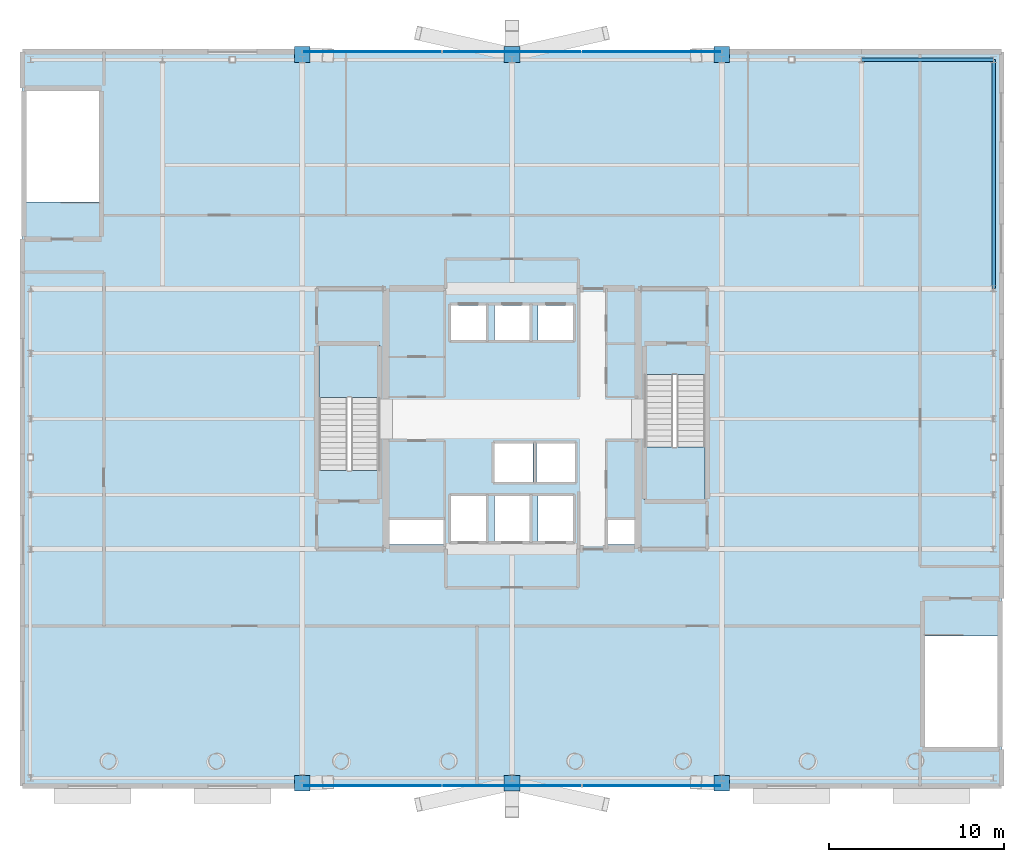
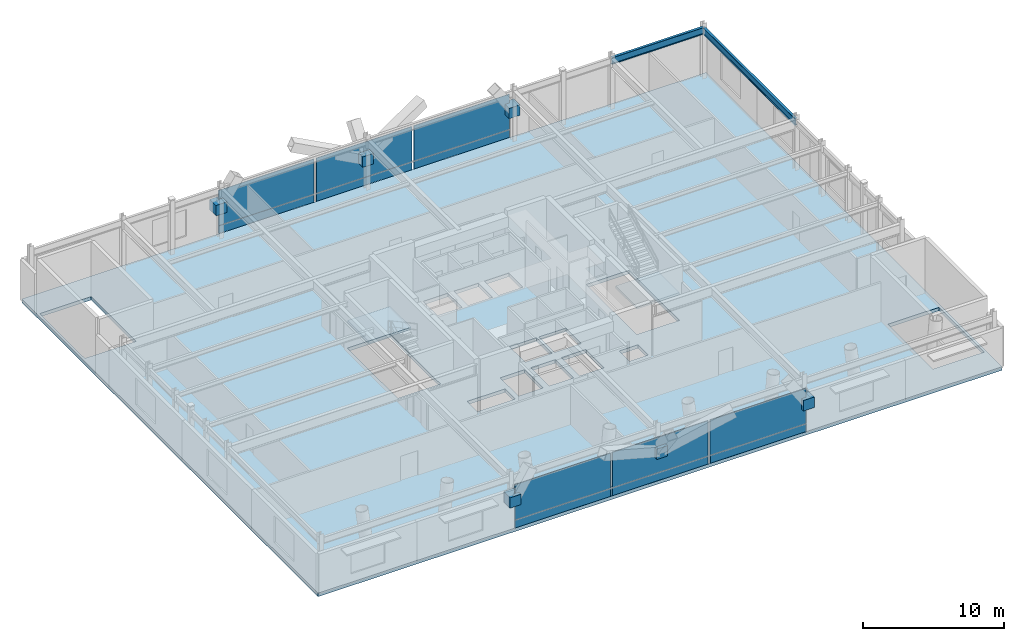
# One storey, part 13 of 21: 18 plates, 3 slabs, 2 beams, 4 elements without a shape of their own.
"""IFC4 building model written with IfcOpenShell, lengths in metres."""

from ifc_helpers import new_model, si_unit, direction, frame, origin, origin_2d, place, context, subcontext, project, spatial, polyline, rectangle, i_section, outline, extrude, material, layer, layer_set, material_profile, profile_set, type_object, element, aggregate, save


model = new_model("IFC4")

# Units and contexts
model_context = context("Model", 3, precision=1e-05, world=origin(), true_north=direction((0.0, 1.0)))
body_context = subcontext(model_context, "Body", "Model", "MODEL_VIEW")
ifc_project = project(units=[si_unit("LENGTHUNIT", "METRE"), si_unit("AREAUNIT", "SQUARE_METRE"), si_unit("VOLUMEUNIT", "CUBIC_METRE"), si_unit("PLANEANGLEUNIT", "RADIAN"), si_unit("MASSUNIT", "GRAM", prefix="KILO")], contexts=[model_context])

# Site, building, storey
site_placement = place(None, origin())
site = spatial("IfcSite", under=ifc_project, at=site_placement, CompositionType="ELEMENT")
building_placement = place(site_placement, origin())
building = spatial("IfcBuilding", under=site, at=building_placement, Name="Veldorina Hangang Commons", CompositionType="ELEMENT")
storey_placement = place(building_placement, frame((0.0, 0.0, 19.60009765625)))
storey = spatial("IfcBuildingStorey", under=building, at=storey_placement, Name="L04", CompositionType="ELEMENT", Elevation=19.60009765625)

# Beams
ifc_material_1 = material(Name="Steel SM420-TMC", Category="steel")
ifc_material_profile = material_profile(ifc_material_1, i_section(OverallWidth=0.199951171875, OverallDepth=0.60009765625, WebThickness=0.010986328125, FlangeThickness=0.01708984375, FilletRadius=0.01806640625, at=origin_2d()), Name="H-600x200x11x17")
ifc_profile_set = profile_set([ifc_material_profile], Name="Steel SM420-TMC")
beam_type = type_object("IfcBeamType", Name="BM-SPN600", PredefinedType="SPANDREL", material=ifc_profile_set)
beam_1_placement = place(storey_placement, frame((52.0, 44.550048828125, 4.099853515625), z_axis=(1.0, 0.0, 0.0), x_axis=(0.0, 1.0, 0.0)))
element("IfcBeam", 1, at=beam_1_placement, inside=storey, type_object=beam_type, Name="L04 north spandrel beam 6", PredefinedType="SPANDREL", context=body_context, shape_type="SweptSolid", body=[
    extrude(i_section(OverallWidth=0.199951171875, OverallDepth=0.60009765625, WebThickness=0.010986328125, FlangeThickness=0.01708984375, FilletRadius=0.01806640625, at=origin_2d()), origin(), (0.0, 0.0, 1.0), 7.550048828125),
])
beam_2_placement = place(storey_placement, frame((59.550048828125, 31.449951171875, 4.099853515625), z_axis=(0.0, 1.0, 0.0), x_axis=(-1.0, 0.0, 0.0)))
element("IfcBeam", 2, at=beam_2_placement, inside=storey, type_object=beam_type, Name="L04 east spandrel beam 6", PredefinedType="SPANDREL", context=body_context, shape_type="SweptSolid", body=[
    extrude(i_section(OverallWidth=0.199951171875, OverallDepth=0.60009765625, WebThickness=0.010986328125, FlangeThickness=0.01708984375, FilletRadius=0.01806640625, at=origin_2d()), origin(), (0.0, 0.0, 1.0), 13.10009765625),
])

# Curtain wall, plates
ifc_material_2 = material(Name="Glass Low-E Triple IGU", Category="glass")
ifc_layer_1 = layer(ifc_material_2, 0.179931640625)
ifc_layer_set_1 = layer_set([ifc_layer_1], Name="Glass Low-E Triple IGU")
curtain_wall_type = type_object("IfcCurtainWallType", Name="CW-SYS-POD", PredefinedType="NOTDEFINED", material=ifc_layer_set_1)
curtain_wall_1_placement = place(storey_placement, origin())
curtain_wall_1 = element("IfcCurtainWall", 3, at=curtain_wall_1_placement, inside=storey, type_object=curtain_wall_type, Name="L04 unitised curtain wall CW-L04-S-CTR", PredefinedType="NOTDEFINED")
ifc_material_3 = material(Name="Stone Roman Travertine", Category="masonry")
ifc_layer_2 = layer(ifc_material_3, 0.054931640625)
ifc_layer_set_2 = layer_set([ifc_layer_2], Name="Stone Roman Travertine")
plate_type_1 = type_object("IfcPlateType", Name="CW-PNL-SPN", PredefinedType="USERDEFINED", material=ifc_layer_set_2)
plate_1_placement = place(storey_placement, frame((24.0, 3.0, 0.02490234375), z_axis=(0.0, 0.0, 1.0), x_axis=(1.0, 0.0, 0.0)))
plate_1 = element("IfcPlate", 4, at=plate_1_placement, type_object=plate_type_1, Name="CW-L04-S-CTR facet 1 travertine spandrel panel", ObjectType="SPANDREL", PredefinedType="USERDEFINED", context=body_context, shape_type="SweptSolid", body=[
    extrude(rectangle(XDim=7.820068359375, YDim=0.054931640625, at=origin_2d()), origin(), (0.0, 0.0, 1.0), 0.669921875),
])
plate_2_placement = place(storey_placement, frame((32.0, 3.0, 0.02490234375), z_axis=(0.0, 0.0, 1.0), x_axis=(1.0, 0.0, 0.0)))
plate_2 = element("IfcPlate", 5, at=plate_2_placement, type_object=plate_type_1, Name="CW-L04-S-CTR facet 2 travertine spandrel panel", ObjectType="SPANDREL", PredefinedType="USERDEFINED", context=body_context, shape_type="SweptSolid", body=[
    extrude(rectangle(XDim=7.820068359375, YDim=0.054931640625, at=origin_2d()), origin(), (0.0, 0.0, 1.0), 0.669921875),
])
plate_3_placement = place(storey_placement, frame((40.0, 3.0, 0.02490234375), z_axis=(0.0, 0.0, 1.0), x_axis=(1.0, 0.0, 0.0)))
plate_3 = element("IfcPlate", 6, at=plate_3_placement, type_object=plate_type_1, Name="CW-L04-S-CTR facet 3 travertine spandrel panel", ObjectType="SPANDREL", PredefinedType="USERDEFINED", context=body_context, shape_type="SweptSolid", body=[
    extrude(rectangle(XDim=7.820068359375, YDim=0.054931640625, at=origin_2d()), origin(), (0.0, 0.0, 1.0), 0.669921875),
])

curtain_wall_2_placement = place(storey_placement, origin())
curtain_wall_2 = element("IfcCurtainWall", 7, at=curtain_wall_2_placement, inside=storey, type_object=curtain_wall_type, Name="L04 unitised curtain wall CW-L04-N-CTR", PredefinedType="NOTDEFINED")
plate_4_placement = place(storey_placement, frame((40.0, 45.0, 0.02490234375), z_axis=(0.0, 0.0, 1.0), x_axis=(-1.0, 0.0, 0.0)))
plate_4 = element("IfcPlate", 8, at=plate_4_placement, type_object=plate_type_1, Name="CW-L04-N-CTR facet 1 travertine spandrel panel", ObjectType="SPANDREL", PredefinedType="USERDEFINED", context=body_context, shape_type="SweptSolid", body=[
    extrude(rectangle(XDim=7.820068359375, YDim=0.054931640625, at=origin_2d()), origin(), (0.0, 0.0, 1.0), 0.669921875),
])
plate_5_placement = place(storey_placement, frame((32.0, 45.0, 0.02490234375), z_axis=(0.0, 0.0, 1.0), x_axis=(-1.0, 0.0, 0.0)))
plate_5 = element("IfcPlate", 9, at=plate_5_placement, type_object=plate_type_1, Name="CW-L04-N-CTR facet 2 travertine spandrel panel", ObjectType="SPANDREL", PredefinedType="USERDEFINED", context=body_context, shape_type="SweptSolid", body=[
    extrude(rectangle(XDim=7.820068359375, YDim=0.054931640625, at=origin_2d()), origin(), (0.0, 0.0, 1.0), 0.669921875),
])
plate_6_placement = place(storey_placement, frame((24.0, 45.0, 0.02490234375), z_axis=(0.0, 0.0, 1.0), x_axis=(-1.0, 0.0, 0.0)))
plate_6 = element("IfcPlate", 10, at=plate_6_placement, type_object=plate_type_1, Name="CW-L04-N-CTR facet 3 travertine spandrel panel", ObjectType="SPANDREL", PredefinedType="USERDEFINED", context=body_context, shape_type="SweptSolid", body=[
    extrude(rectangle(XDim=7.820068359375, YDim=0.054931640625, at=origin_2d()), origin(), (0.0, 0.0, 1.0), 0.669921875),
])

# Plate
ifc_layer_3 = layer(ifc_material_2, 0.0400390625)
ifc_layer_set_3 = layer_set([ifc_layer_3], Name="Glass Low-E Triple IGU")
plate_type_2 = type_object("IfcPlateType", Name="CW-PNL-VIS", PredefinedType="CURTAIN_PANEL", material=ifc_layer_set_3)
plate_7_placement = place(storey_placement, frame((24.0, 3.0, 0.71484375), z_axis=(0.0, 0.0, 1.0), x_axis=(1.0, 0.0, 0.0)))
plate_7 = element("IfcPlate", 11, at=plate_7_placement, type_object=plate_type_2, Name="CW-L04-S-CTR facet 1 glazed vision panel", PredefinedType="CURTAIN_PANEL", context=body_context, shape_type="SweptSolid", body=[
    extrude(rectangle(XDim=7.820068359375, YDim=0.0400390625, at=origin_2d()), origin(), (0.0, 0.0, 1.0), 3.050048828125),
])

plate_8_placement = place(storey_placement, frame((32.0, 3.0, 0.71484375), z_axis=(0.0, 0.0, 1.0), x_axis=(1.0, 0.0, 0.0)))
plate_8 = element("IfcPlate", 12, at=plate_8_placement, type_object=plate_type_2, Name="CW-L04-S-CTR facet 2 glazed vision panel", PredefinedType="CURTAIN_PANEL", context=body_context, shape_type="SweptSolid", body=[
    extrude(rectangle(XDim=7.820068359375, YDim=0.0400390625, at=origin_2d()), origin(), (0.0, 0.0, 1.0), 3.050048828125),
])

plate_9_placement = place(storey_placement, frame((40.0, 3.0, 0.71484375), z_axis=(0.0, 0.0, 1.0), x_axis=(1.0, 0.0, 0.0)))
plate_9 = element("IfcPlate", 13, at=plate_9_placement, type_object=plate_type_2, Name="CW-L04-S-CTR facet 3 glazed vision panel", PredefinedType="CURTAIN_PANEL", context=body_context, shape_type="SweptSolid", body=[
    extrude(rectangle(XDim=7.820068359375, YDim=0.0400390625, at=origin_2d()), origin(), (0.0, 0.0, 1.0), 3.050048828125),
])

aggregate(curtain_wall_1, [plate_1, plate_7, plate_2, plate_8, plate_3, plate_9])

plate_10_placement = place(storey_placement, frame((40.0, 45.0, 0.71484375), z_axis=(0.0, 0.0, 1.0), x_axis=(-1.0, 0.0, 0.0)))
plate_10 = element("IfcPlate", 14, at=plate_10_placement, type_object=plate_type_2, Name="CW-L04-N-CTR facet 1 glazed vision panel", PredefinedType="CURTAIN_PANEL", context=body_context, shape_type="SweptSolid", body=[
    extrude(rectangle(XDim=7.820068359375, YDim=0.0400390625, at=origin_2d()), origin(), (0.0, 0.0, 1.0), 3.050048828125),
])

plate_11_placement = place(storey_placement, frame((32.0, 45.0, 0.71484375), z_axis=(0.0, 0.0, 1.0), x_axis=(-1.0, 0.0, 0.0)))
plate_11 = element("IfcPlate", 15, at=plate_11_placement, type_object=plate_type_2, Name="CW-L04-N-CTR facet 2 glazed vision panel", PredefinedType="CURTAIN_PANEL", context=body_context, shape_type="SweptSolid", body=[
    extrude(rectangle(XDim=7.820068359375, YDim=0.0400390625, at=origin_2d()), origin(), (0.0, 0.0, 1.0), 3.050048828125),
])

plate_12_placement = place(storey_placement, frame((24.0, 45.0, 0.71484375), z_axis=(0.0, 0.0, 1.0), x_axis=(-1.0, 0.0, 0.0)))
plate_12 = element("IfcPlate", 16, at=plate_12_placement, type_object=plate_type_2, Name="CW-L04-N-CTR facet 3 glazed vision panel", PredefinedType="CURTAIN_PANEL", context=body_context, shape_type="SweptSolid", body=[
    extrude(rectangle(XDim=7.820068359375, YDim=0.0400390625, at=origin_2d()), origin(), (0.0, 0.0, 1.0), 3.050048828125),
])

aggregate(curtain_wall_2, [plate_4, plate_10, plate_5, plate_11, plate_6, plate_12])

# Plates
ifc_material_4 = material(Name="Steel SM490-TMC", Category="steel")
ifc_layer_4 = layer(ifc_material_4, 0.044921875)
ifc_layer_set_4 = layer_set([ifc_layer_4], Name="Steel SM490-TMC")
plate_type_3 = type_object("IfcPlateType", Name="PL-NODE-45", PredefinedType="SHEET", material=ifc_layer_set_4)
for number, where, z_axis, x_axis, name in (
    (17, (44.0, 44.85009765625, 2.099853515625), (0.0, 0.0, 1.0), (1.0, 0.0, 0.0), "L04 transfer strut base node plate 44-44"),
    (18, (32.0, 44.85009765625, 2.099853515625), (0.0, 0.0, 1.0), (1.0, 0.0, 0.0), "L04 transfer strut base node plate 32-44"),
    (19, (20.0, 44.85009765625, 2.099853515625), (0.0, 0.0, 1.0), (1.0, 0.0, 0.0), "L04 transfer strut base node plate 20-44"),
    (20, (20.0, 3.14990234375, 2.099853515625), (0.0, 0.0, 1.0), (1.0, 0.0, 0.0), "L04 transfer strut base node plate 20-3"),
    (21, (32.0, 3.14990234375, 2.099853515625), (0.0, 0.0, 1.0), (1.0, 0.0, 0.0), "L04 transfer strut base node plate 32-3"),
    (22, (44.0, 3.14990234375, 2.099853515625), (0.0, 0.0, 1.0), (1.0, 0.0, 0.0), "L04 transfer strut base node plate 44-3"),
):
    element("IfcPlate", number, at=place(storey_placement, frame(where, z_axis=z_axis, x_axis=x_axis)), inside=storey, type_object=plate_type_3, Name=name, PredefinedType="SHEET", context=body_context, shape_type="SweptSolid", body=[
        extrude(rectangle(XDim=0.89990234375, YDim=0.89990234375, at=origin_2d()), origin(), (0.0, 0.0, 1.0), 0.89990234375),
    ])

# Slab
ifc_material_5 = material(Name="Concrete C45/55", Category="concrete")
ifc_layer_5 = layer(ifc_material_5, 0.300048828125)
ifc_layer_set_5 = layer_set([ifc_layer_5], Name="Concrete C45/55")
slab_type_1 = type_object("IfcSlabType", Name="SL-FLR-300", PredefinedType="FLOOR", material=ifc_layer_set_5)
slab_1_placement = place(storey_placement, frame((0.0, 0.0, -0.300048828125)))
element("IfcSlab", 23, at=slab_1_placement, inside=storey, type_object=slab_type_1, Name="L04 podium structural floor slab", PredefinedType="FLOOR", context=body_context, shape_type="SweptSolid", body=[
    extrude(outline(polyline([(4.0, 3.0), (60.0, 3.0), (60.0, 45.0), (4.0, 45.0), (4.0, 3.0)]), holes=[polyline([(20.949951171875, 21.05810546875), (20.949951171875, 28.199951171875), (24.449951171875, 28.199951171875), (24.449951171875, 21.05810546875), (20.949951171875, 21.05810546875)]), polyline([(43.050048828125, 26.5419921875), (43.050048828125, 19.39990234375), (39.550048828125, 19.39990234375), (39.550048828125, 26.5419921875), (43.050048828125, 26.5419921875)]), polyline([(4.199951171875, 36.407958984375), (4.199951171875, 42.800048828125), (8.39990234375, 42.800048828125), (8.39990234375, 36.407958984375), (4.199951171875, 36.407958984375)]), polyline([(59.800048828125, 11.592041015625), (59.800048828125, 5.199951171875), (55.60009765625, 5.199951171875), (55.60009765625, 11.592041015625), (59.800048828125, 11.592041015625)]), polyline([(28.5, 30.5), (30.5, 30.5), (30.5, 28.5), (28.5, 28.5), (28.5, 30.5)]), polyline([(31.0, 30.5), (33.0, 30.5), (33.0, 28.5), (31.0, 28.5), (31.0, 30.5)]), polyline([(33.5, 30.5), (35.5, 30.5), (35.5, 28.5), (33.5, 28.5), (33.5, 30.5)]), polyline([(31.0, 22.60009765625), (33.199951171875, 22.60009765625), (33.199951171875, 20.39990234375), (31.0, 20.39990234375), (31.0, 22.60009765625)]), polyline([(33.39990234375, 22.60009765625), (35.60009765625, 22.60009765625), (35.60009765625, 20.39990234375), (33.39990234375, 20.39990234375), (33.39990234375, 22.60009765625)]), polyline([(28.5, 19.60009765625), (30.5, 19.60009765625), (30.5, 17.0), (28.5, 17.0), (28.5, 19.60009765625)]), polyline([(31.0, 19.60009765625), (33.0, 19.60009765625), (33.0, 17.0), (31.0, 17.0), (31.0, 19.60009765625)]), polyline([(33.5, 19.60009765625), (35.5, 19.60009765625), (35.5, 17.0), (33.5, 17.0), (33.5, 19.60009765625)]), polyline([(25.0, 18.25), (28.10009765625, 18.25), (28.10009765625, 16.800048828125), (25.0, 16.800048828125), (25.0, 18.25)]), polyline([(37.449951171875, 18.25), (39.0, 18.25), (39.0, 16.800048828125), (37.449951171875, 16.800048828125), (37.449951171875, 18.25)])]), origin(), (0.0, 0.0, 1.0), 0.300048828125),
])

# Stair, slab
ifc_material_6 = material(Name="Concrete C40/50", Category="concrete")
stair_type = type_object("IfcStairType", Name="STR-DOG-1650-28R", PredefinedType="HALF_TURN_STAIR", material=ifc_material_6)
stair_1_placement = place(storey_placement, origin())
stair_1 = element("IfcStair", 24, at=stair_1_placement, inside=storey, type_object=stair_type, Name="L04 Exit stair ST-1", PredefinedType="HALF_TURN_STAIR")
ifc_layer_6 = layer(ifc_material_6, 0.199951171875)
ifc_layer_set_6 = layer_set([ifc_layer_6], Name="Concrete C40/50")
slab_type_2 = type_object("IfcSlabType", Name="SL-LND-200", PredefinedType="LANDING", material=ifc_layer_set_6)
slab_2_placement = place(storey_placement, frame((0.0, 0.0, 2.199951171875)))
slab_2 = element("IfcSlab", 25, at=slab_2_placement, type_object=slab_type_2, Name="ST-1 landing 1", PredefinedType="LANDING", context=body_context, shape_type="SweptSolid", body=[
    extrude(outline(polyline([(24.449951171875, 25.2099609375), (24.449951171875, 28.199951171875), (20.949951171875, 28.199951171875), (20.949951171875, 25.2099609375), (24.449951171875, 25.2099609375)])), origin(), (0.0, 0.0, 1.0), 0.199951171875),
])
aggregate(stair_1, [slab_2])

stair_2_placement = place(storey_placement, origin())
stair_2 = element("IfcStair", 26, at=stair_2_placement, inside=storey, type_object=stair_type, Name="L04 Exit stair ST-2", PredefinedType="HALF_TURN_STAIR")
slab_3_placement = place(storey_placement, frame((0.0, 0.0, 2.199951171875)))
slab_3 = element("IfcSlab", 27, at=slab_3_placement, type_object=slab_type_2, Name="ST-2 landing 1", PredefinedType="LANDING", context=body_context, shape_type="SweptSolid", body=[
    extrude(outline(polyline([(39.550048828125, 22.389892578125), (39.550048828125, 19.39990234375), (43.050048828125, 19.39990234375), (43.050048828125, 22.389892578125), (39.550048828125, 22.389892578125)])), origin(), (0.0, 0.0, 1.0), 0.199951171875),
])
aggregate(stair_2, [slab_3])

save(model, "model.ifc")
